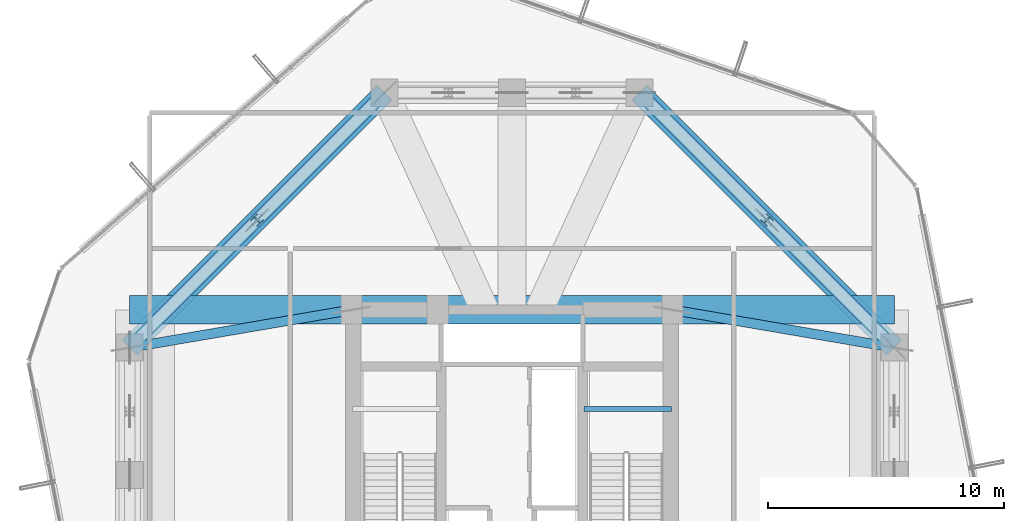
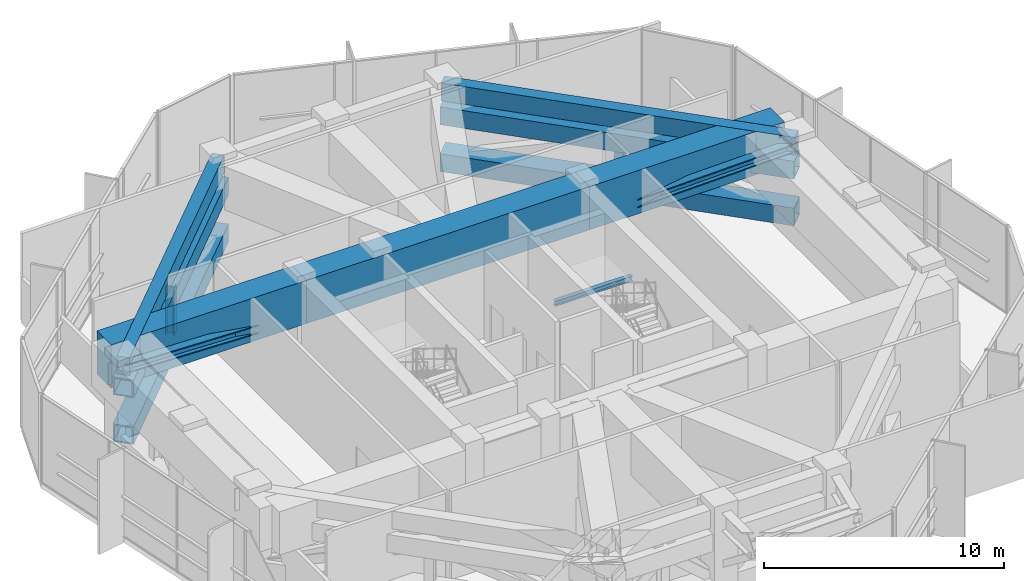
# One storey, part 15 of 36: 8 members, 6 beams.
"""IFC4 building model written with IfcOpenShell, lengths in metres."""

from ifc_helpers import new_model, si_unit, direction, frame, origin, origin_2d, place, context, subcontext, project, spatial, rectangle, hollow_rectangle, i_section, extrude, material, material_profile, profile_set, type_object, element, save


model = new_model("IFC4")

# Units and contexts
model_context = context("Model", 3, precision=1e-05, world=origin(), true_north=direction((0.0, 1.0)))
body_context = subcontext(model_context, "Body", "Model", "MODEL_VIEW")
ifc_project = project(units=[si_unit("LENGTHUNIT", "METRE"), si_unit("AREAUNIT", "SQUARE_METRE"), si_unit("VOLUMEUNIT", "CUBIC_METRE"), si_unit("PLANEANGLEUNIT", "RADIAN"), si_unit("MASSUNIT", "GRAM", prefix="KILO")], contexts=[model_context])

# Site, building, storey
site_placement = place(None, origin())
site = spatial("IfcSite", under=ifc_project, at=site_placement, CompositionType="ELEMENT")
building_placement = place(site_placement, origin())
building = spatial("IfcBuilding", under=site, at=building_placement, Name="Veraguas Prism Commons", CompositionType="ELEMENT")
storey_placement = place(building_placement, frame((0.0, 0.0, 169.550048828125)))
storey = spatial("IfcBuildingStorey", under=building, at=storey_placement, Name="L48", CompositionType="ELEMENT", Elevation=169.550048828125)

# Members
ifc_material_1 = material(Name="Steel ASTM A913 Grade 65", Category="steel")
ifc_material_profile_1 = material_profile(ifc_material_1, hollow_rectangle(XDim=0.89990234375, YDim=0.89990234375, WallThickness=0.06494140625, at=origin_2d()), Name="BOX900X900X65")
ifc_profile_set_1 = profile_set([ifc_material_profile_1], Name="Steel ASTM A913 Grade 65")
member_type_1 = type_object("IfcMemberType", Name="Belt Truss Chord L48 Box 900x900x65", PredefinedType="CHORD", material=ifc_profile_set_1)
for number, where, z_axis, x_axis, name in (
    (1, (40.199951171875, 29.39990234375, 0.550048828125), (-0.707106781187, 0.707106781187, 0.0), (-0.707106781187, -0.707106781187, 0.0), "Perimeter Belt Truss Chord Bottom L48-03"),
    (2, (40.199951171875, 29.39990234375, 2.929931640625), (-0.707106781187, 0.707106781187, 0.0), (-0.707106781187, -0.707106781187, 0.0), "Perimeter Belt Truss Chord Top L48-03"),
    (3, (18.60009765625, 40.199951171875, 0.550048828125), (-0.707106781187, -0.707106781187, 0.0), (0.707106781187, -0.707106781187, 0.0), "Perimeter Belt Truss Chord Bottom L48-06"),
    (4, (18.60009765625, 40.199951171875, 2.929931640625), (-0.707106781187, -0.707106781187, 0.0), (0.707106781187, -0.707106781187, 0.0), "Perimeter Belt Truss Chord Top L48-06"),
):
    element("IfcMember", number, at=place(storey_placement, frame(where, z_axis=z_axis, x_axis=x_axis)), inside=storey, type_object=member_type_1, Name=name, PredefinedType="CHORD", context=body_context, shape_type="SweptSolid", body=[
        extrude(hollow_rectangle(XDim=0.89990234375, YDim=0.89990234375, WallThickness=0.06494140625, at=origin_2d()), origin(), (0.0, 0.0, 1.0), 15.273681640625),
    ])
ifc_material_2 = material(Name="Steel ASTM A992 Grade 50", Category="steel")
ifc_material_profile_2 = material_profile(ifc_material_2, i_section(OverallWidth=0.39794921875, OverallDepth=0.386962890625, WebThickness=0.01904296875, FlangeThickness=0.0302734375, at=origin_2d()), Name="W360X262")
ifc_profile_set_2 = profile_set([ifc_material_profile_2], Name="Steel ASTM A992 Grade 50")
member_type_2 = type_object("IfcMemberType", Name="Belt Truss Vertical Strut W360x262", PredefinedType="STRUT", material=ifc_profile_set_2)
for number, where, z_axis, x_axis, name in (
    (5, (34.800048828125, 34.800048828125, 0.550048828125), (0.0, 0.0, 1.0), (-0.707106781187, 0.707106781187, 0.0), "Perimeter Belt Truss Strut L48-03"),
    (6, (13.199951171875, 34.800048828125, 0.550048828125), (0.0, 0.0, 1.0), (-0.707106781187, -0.707106781187, 0.0), "Perimeter Belt Truss Strut L48-06"),
):
    element("IfcMember", number, at=place(storey_placement, frame(where, z_axis=z_axis, x_axis=x_axis)), inside=storey, type_object=member_type_2, Name=name, PredefinedType="STRUT", context=body_context, shape_type="SweptSolid", body=[
        extrude(i_section(OverallWidth=0.39794921875, OverallDepth=0.386962890625, WebThickness=0.01904296875, FlangeThickness=0.0302734375, at=origin_2d()), origin(), (0.0, 0.0, 1.0), 2.3798828125),
    ])
ifc_material_profile_3 = material_profile(ifc_material_2, i_section(OverallWidth=0.408935546875, OverallDepth=0.425048828125, WebThickness=0.030517578125, FlangeThickness=0.049072265625, at=origin_2d()), Name="W360X421")
ifc_profile_set_3 = profile_set([ifc_material_profile_3], Name="Steel ASTM A992 Grade 50")
member_type_3 = type_object("IfcMemberType", Name="Outrigger Truss Diagonal W360x421", PredefinedType="BRACE", material=ifc_profile_set_3)
for number, where, z_axis, x_axis, name in (
    (7, (30.800048828125, 31.0, 2.419921875), (0.973207252857, -0.165664130051, 0.159446037895), (0.1678109956, 0.985819187151, 0.0), "Outrigger Truss Diagonal L48-02"),
    (8, (17.199951171875, 31.0, 2.419921875), (-0.973207252857, -0.165664130051, 0.159446037895), (0.1678109956, -0.985819187151, 0.0), "Outrigger Truss Diagonal L48-03"),
):
    element("IfcMember", number, at=place(storey_placement, frame(where, z_axis=z_axis, x_axis=x_axis)), inside=storey, type_object=member_type_3, Name=name, PredefinedType="BRACE", context=body_context, shape_type="SweptSolid", body=[
        extrude(i_section(OverallWidth=0.408935546875, OverallDepth=0.425048828125, WebThickness=0.030517578125, FlangeThickness=0.049072265625, at=origin_2d()), origin(), (0.0, 0.0, 1.0), 9.65869140625),
    ])

# Beams
ifc_material_3 = material(Name="Concrete C50/60", Category="concrete")
ifc_material_profile_4 = material_profile(ifc_material_3, rectangle(XDim=0.550048828125, YDim=0.89990234375, at=origin_2d()), Name="RC550X900")
ifc_profile_set_4 = profile_set([ifc_material_profile_4], Name="Concrete C50/60")
beam_type_1 = type_object("IfcBeamType", Name="Perimeter Spandrel Lower RC 550x900", PredefinedType="SPANDREL", material=ifc_profile_set_4)
for number, where, z_axis, x_axis, name in (
    (9, (40.199951171875, 29.39990234375, 4.030029296875), (-0.707106781187, 0.707106781187, 0.0), (-0.707106781187, -0.707106781187, 0.0), "Perimeter Spandrel Beam L48-SP03"),
    (10, (18.60009765625, 40.199951171875, 4.030029296875), (-0.707106781187, -0.707106781187, 0.0), (0.707106781187, -0.707106781187, 0.0), "Perimeter Spandrel Beam L48-SP06"),
):
    element("IfcBeam", number, at=place(storey_placement, frame(where, z_axis=z_axis, x_axis=x_axis)), inside=storey, type_object=beam_type_1, Name=name, PredefinedType="SPANDREL", context=body_context, shape_type="SweptSolid", body=[
        extrude(rectangle(XDim=0.550048828125, YDim=0.89990234375, at=origin_2d()), origin(), (0.0, 0.0, 1.0), 15.273681640625),
    ])
ifc_material_profile_5 = material_profile(ifc_material_3, rectangle(XDim=1.199951171875, YDim=2.199951171875, at=origin_2d()), Name="RC1200X2200")
ifc_profile_set_5 = profile_set([ifc_material_profile_5], Name="Concrete C50/60")
beam_type_2 = type_object("IfcBeamType", Name="Podium Transfer Girder RC 1200x2200", PredefinedType="BEAM", material=ifc_profile_set_5)
beam_1_placement = place(storey_placement, frame((17.199951171875, 31.0, 3.3798828125), z_axis=(1.0, 0.0, 0.0), x_axis=(0.0, 1.0, 0.0)))
element("IfcBeam", 11, at=beam_1_placement, inside=storey, type_object=beam_type_2, Name="Core North Transfer Girder L48", PredefinedType="BEAM", context=body_context, shape_type="SweptSolid", body=[
    extrude(rectangle(XDim=1.199951171875, YDim=2.199951171875, at=origin_2d()), origin(), (0.0, 0.0, 1.0), 13.60009765625),
])
for number, where, z_axis, x_axis, name in (
    (12, (40.199951171875, 31.0, 3.3798828125), (-1.0, 0.0, 0.0), (0.0, -1.0, 0.0), "Outrigger Transfer Girder L48-XNE"),
    (13, (7.800048828125, 31.0, 3.3798828125), (1.0, 0.0, 0.0), (0.0, 1.0, 0.0), "Outrigger Transfer Girder L48-XNW"),
):
    element("IfcBeam", number, at=place(storey_placement, frame(where, z_axis=z_axis, x_axis=x_axis)), inside=storey, type_object=beam_type_2, Name=name, PredefinedType="BEAM", context=body_context, shape_type="SweptSolid", body=[
        extrude(rectangle(XDim=1.199951171875, YDim=2.199951171875, at=origin_2d()), origin(), (0.0, 0.0, 1.0), 9.39990234375),
    ])
ifc_material_profile_6 = material_profile(ifc_material_2, i_section(OverallWidth=0.202880859375, OverallDepth=0.251953125, WebThickness=0.008056640625, FlangeThickness=0.013427734375, at=origin_2d()), Name="W250X58")
ifc_profile_set_6 = profile_set([ifc_material_profile_6], Name="Steel ASTM A992 Grade 50")
beam_type_3 = type_object("IfcBeamType", Name="Structural Opening Lintel W250x58", PredefinedType="LINTEL", material=ifc_profile_set_6)
beam_2_placement = place(storey_placement, frame((27.050048828125, 26.800048828125, 2.073974609375), z_axis=(1.0, 0.0, 0.0), x_axis=(0.0, 1.0, 0.0)))
element("IfcBeam", 14, at=beam_2_placement, inside=storey, type_object=beam_type_3, Name="Stair ST-02 Half-Landing Support Beam L48-1", PredefinedType="LINTEL", context=body_context, shape_type="SweptSolid", body=[
    extrude(i_section(OverallWidth=0.202880859375, OverallDepth=0.251953125, WebThickness=0.008056640625, FlangeThickness=0.013427734375, at=origin_2d()), origin(), (0.0, 0.0, 1.0), 3.699951171875),
])

save(model, "model.ifc")
